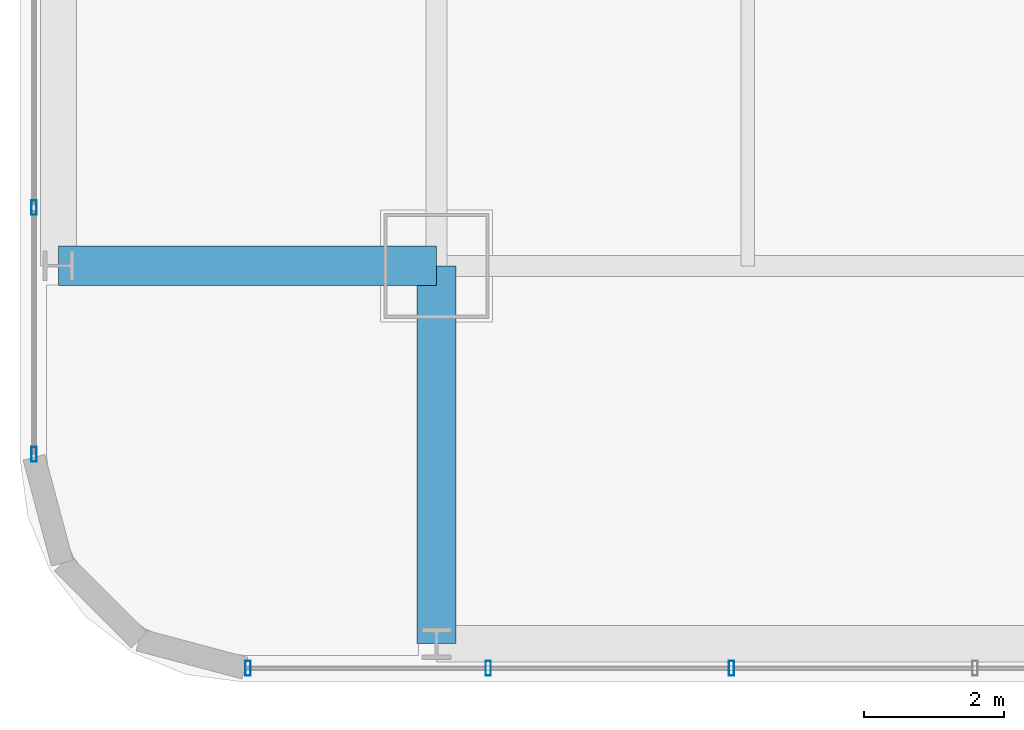
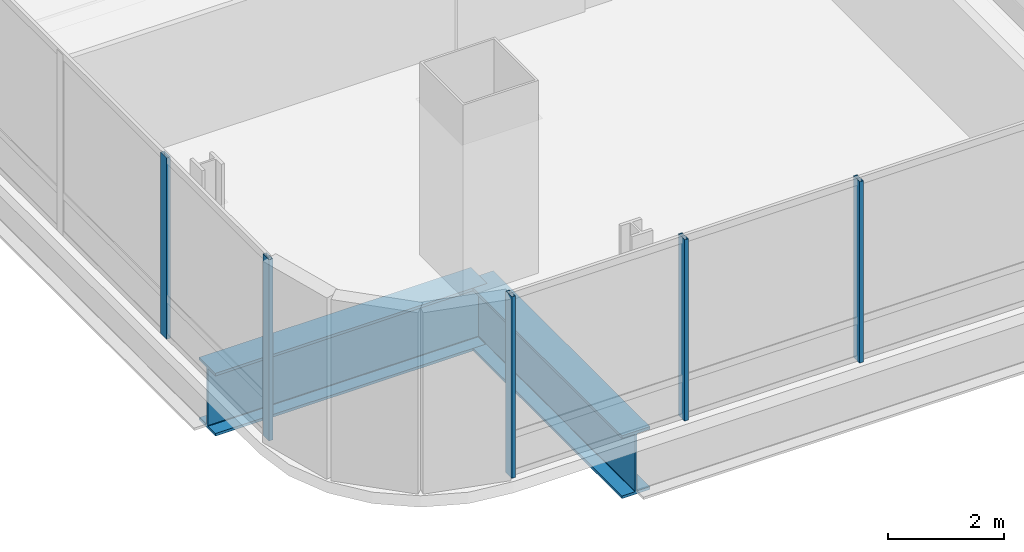
# One storey, part 2 of 37: 5 members, 2 beams, 2 elements without a shape of their own.
"""IFC4 building model written with IfcOpenShell, lengths in metres."""

from ifc_helpers import new_model, si_unit, direction, frame, origin, origin_2d, place, context, subcontext, project, spatial, hollow_rectangle, i_section, extrude, material, material_profile, profile_set, type_object, element, aggregate, save


model = new_model("IFC4")

# Units and contexts
model_context = context("Model", 3, precision=1e-05, world=origin(), true_north=direction((0.0, 1.0)))
body_context = subcontext(model_context, "Body", "Model", "MODEL_VIEW")
ifc_project = project(units=[si_unit("LENGTHUNIT", "METRE"), si_unit("AREAUNIT", "SQUARE_METRE"), si_unit("VOLUMEUNIT", "CUBIC_METRE"), si_unit("PLANEANGLEUNIT", "RADIAN"), si_unit("MASSUNIT", "GRAM", prefix="KILO")], contexts=[model_context])

# Site, building, storey
site_placement = place(None, origin())
site = spatial("IfcSite", under=ifc_project, at=site_placement, CompositionType="ELEMENT")
building_placement = place(site_placement, origin())
building = spatial("IfcBuilding", under=site, at=building_placement, Name="Punatoya Terracotta Tower", CompositionType="ELEMENT")
storey_placement = place(building_placement, frame((0.0, 0.0, 44.39990234375)))
storey = spatial("IfcBuildingStorey", under=building, at=storey_placement, Name="L09", CompositionType="ELEMENT", Elevation=44.39990234375)

# Beams
ifc_material_1 = material(Name="Steel S460", Category="steel")
ifc_material_profile_1 = material_profile(ifc_material_1, i_section(OverallWidth=0.56005859375, OverallDepth=1.320068359375, WebThickness=0.035888671875, FlangeThickness=0.054931640625, FilletRadius=0.01806640625, at=origin_2d()))
ifc_profile_set_1 = profile_set([ifc_material_profile_1], Name="Steel S460")
beam_type = type_object("IfcBeamType", Name="BM-TG-BLK", PredefinedType="BEAM", material=ifc_profile_set_1)
for number, where, z_axis, x_axis, name in (
    (1, (-24.5, -17.5, -0.89990234375), (1.0, 0.0, 0.0), (0.0, 1.0, 0.0), "BM-L09-CANT-W1"),
    (2, (-19.10009765625, -22.89990234375, -0.89990234375), (0.0, 1.0, 0.0), (-1.0, 0.0, 0.0), "BM-L09-CANT-S1"),
):
    element("IfcBeam", number, at=place(storey_placement, frame(where, z_axis=z_axis, x_axis=x_axis)), inside=storey, type_object=beam_type, Name=name, PredefinedType="BEAM", context=body_context, shape_type="SweptSolid", body=[
        extrude(i_section(OverallWidth=0.56005859375, OverallDepth=1.320068359375, WebThickness=0.035888671875, FlangeThickness=0.054931640625, FilletRadius=0.01806640625, at=origin_2d()), origin(), (0.0, 0.0, 1.0), 5.39990234375),
    ])

# Curtain wall, members
ifc_material_2 = material(Name="Aluminium 6063-T6 + Double Low-E Glass", Category="aluminium")
curtain_wall_type = type_object("IfcCurtainWallType", Name="CW-M1", PredefinedType="NOTDEFINED", material=ifc_material_2)
curtain_wall_1_placement = place(storey_placement, origin())
curtain_wall_1 = element("IfcCurtainWall", 3, at=curtain_wall_1_placement, inside=storey, type_object=curtain_wall_type, Name="L09 Curtain Wall CW-L09-S01-1", PredefinedType="NOTDEFINED")
ifc_material_3 = material(Name="Aluminium 6063-T6", Category="aluminium")
ifc_material_profile_2 = material_profile(ifc_material_3, hollow_rectangle(XDim=0.074951171875, YDim=0.2099609375, WallThickness=0.00439453125, at=origin_2d()))
ifc_profile_set_2 = profile_set([ifc_material_profile_2], Name="Aluminium 6063-T6")
member_type = type_object("IfcMemberType", Name="CW-MUL-M1", PredefinedType="MULLION", material=ifc_profile_set_2)
member_1_placement = place(storey_placement, frame((-21.7919921875, -23.25, 0.0), z_axis=(0.0, 0.0, 1.0), x_axis=(1.0, 0.0, 0.0)))
member_1 = element("IfcMember", 4, at=member_1_placement, type_object=member_type, Name="CW-L09-S01-1 Mullion 00", PredefinedType="MULLION", context=body_context, shape_type="SweptSolid", body=[
    extrude(hollow_rectangle(XDim=0.074951171875, YDim=0.2099609375, WallThickness=0.00439453125, at=origin_2d()), origin(), (0.0, 0.0, 1.0), 3.81005859375),
])
member_2_placement = place(storey_placement, frame((-18.359619140625, -23.25, 0.0), z_axis=(0.0, 0.0, 1.0), x_axis=(1.0, 0.0, 0.0)))
member_2 = element("IfcMember", 5, at=member_2_placement, type_object=member_type, Name="CW-L09-S01-1 Mullion 01", PredefinedType="MULLION", context=body_context, shape_type="SweptSolid", body=[
    extrude(hollow_rectangle(XDim=0.074951171875, YDim=0.2099609375, WallThickness=0.00439453125, at=origin_2d()), origin(), (0.0, 0.0, 1.0), 3.81005859375),
])
member_3_placement = place(storey_placement, frame((-14.882080078125, -23.25, 0.0), z_axis=(0.0, 0.0, 1.0), x_axis=(1.0, 0.0, 0.0)))
member_3 = element("IfcMember", 6, at=member_3_placement, type_object=member_type, Name="CW-L09-S01-1 Mullion 02", PredefinedType="MULLION", context=body_context, shape_type="SweptSolid", body=[
    extrude(hollow_rectangle(XDim=0.074951171875, YDim=0.2099609375, WallThickness=0.00439453125, at=origin_2d()), origin(), (0.0, 0.0, 1.0), 3.81005859375),
])
aggregate(curtain_wall_1, [member_1, member_2, member_3])

curtain_wall_2_placement = place(storey_placement, origin())
curtain_wall_2 = element("IfcCurtainWall", 7, at=curtain_wall_2_placement, inside=storey, type_object=curtain_wall_type, Name="L09 Curtain Wall CW-L09-W13-1", PredefinedType="NOTDEFINED")
member_4_placement = place(storey_placement, frame((-24.85009765625, -16.66943359375, 0.0), z_axis=(0.0, 0.0, 1.0), x_axis=(1.0, 0.0, 0.0)))
member_4 = element("IfcMember", 8, at=member_4_placement, type_object=member_type, Name="CW-L09-W13-1 Mullion 09", PredefinedType="MULLION", context=body_context, shape_type="SweptSolid", body=[
    extrude(hollow_rectangle(XDim=0.074951171875, YDim=0.2099609375, WallThickness=0.00439453125, at=origin_2d()), origin(), (0.0, 0.0, 1.0), 3.81005859375),
])
member_5_placement = place(storey_placement, frame((-24.85009765625, -20.19189453125, 0.0), z_axis=(0.0, 0.0, 1.0), x_axis=(1.0, 0.0, 0.0)))
member_5 = element("IfcMember", 9, at=member_5_placement, type_object=member_type, Name="CW-L09-W13-1 Mullion 10", PredefinedType="MULLION", context=body_context, shape_type="SweptSolid", body=[
    extrude(hollow_rectangle(XDim=0.074951171875, YDim=0.2099609375, WallThickness=0.00439453125, at=origin_2d()), origin(), (0.0, 0.0, 1.0), 3.81005859375),
])
aggregate(curtain_wall_2, [member_4, member_5])

save(model, "model.ifc")
